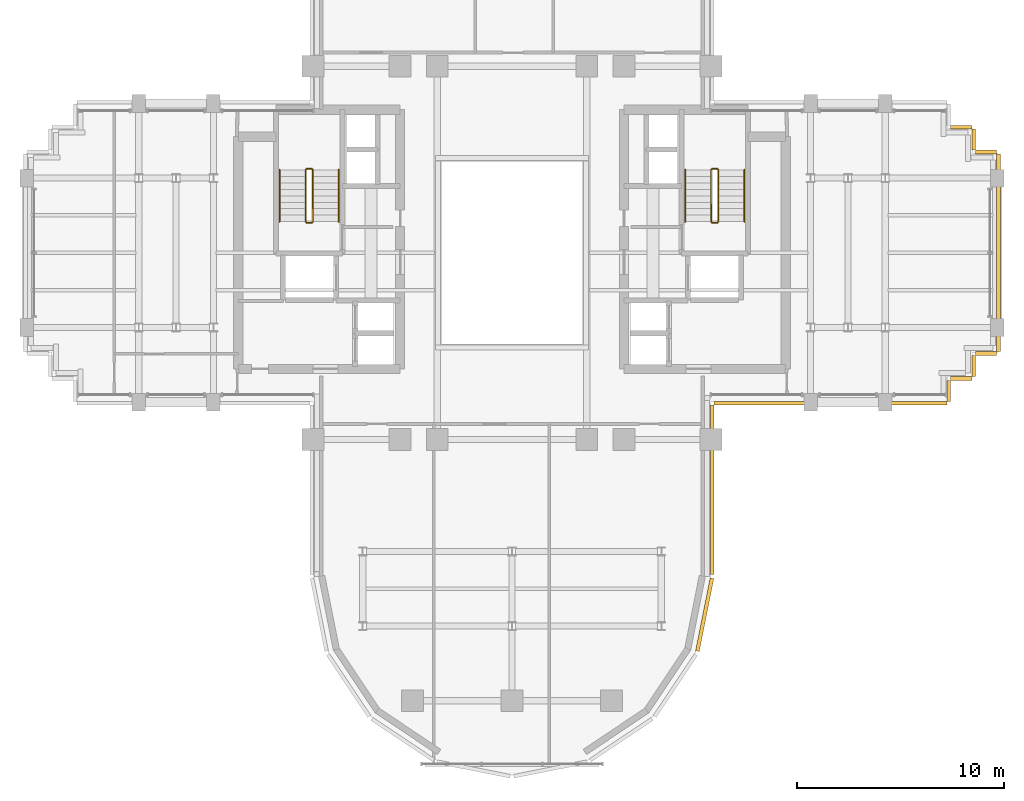
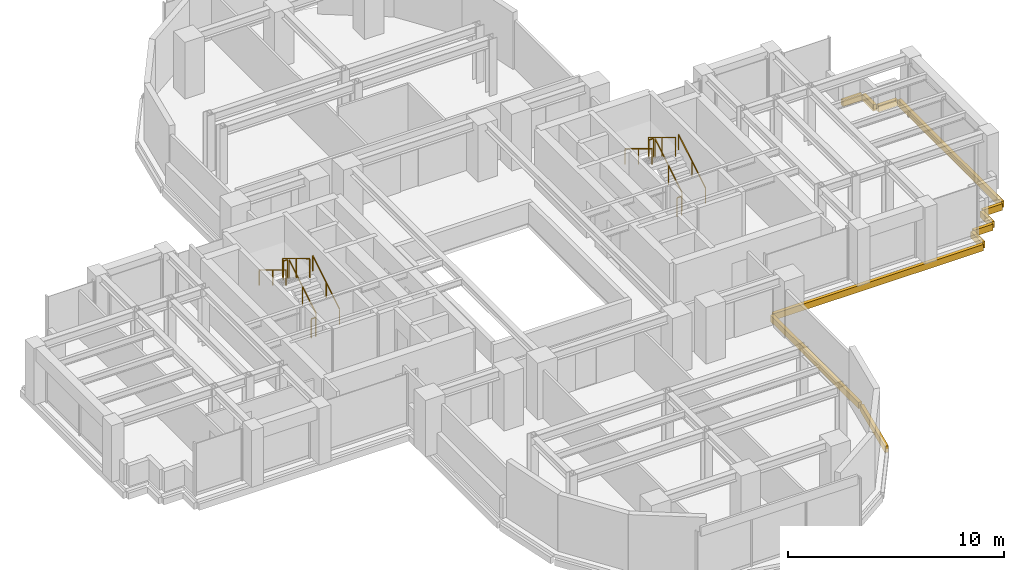
# One storey, part 12 of 13: 12 railings, 11 coverings.
"""IFC4 building model written with IfcOpenShell, lengths in metres."""

from ifc_helpers import new_model, si_unit, direction, frame, origin, origin_2d, place, context, subcontext, project, spatial, rectangle, extrude, source, transform, mapped, material, layer, layer_set, type_object, element, save


model = new_model("IFC4")

# Units and contexts
model_context = context("Model", 3, precision=1e-05, world=origin(), true_north=direction((0.0, 1.0)))
body_context = subcontext(model_context, "Body", "Model", "MODEL_VIEW")
ifc_project = project(units=[si_unit("LENGTHUNIT", "METRE"), si_unit("AREAUNIT", "SQUARE_METRE"), si_unit("VOLUMEUNIT", "CUBIC_METRE"), si_unit("PLANEANGLEUNIT", "RADIAN"), si_unit("MASSUNIT", "GRAM", prefix="KILO")], contexts=[model_context])

# Site, building, storey
site_placement = place(None, origin())
site = spatial("IfcSite", under=ifc_project, at=site_placement, CompositionType="ELEMENT")
building_placement = place(site_placement, origin())
building = spatial("IfcBuilding", under=site, at=building_placement, Name="Keilestroom Media Tower", CompositionType="ELEMENT")
storey_placement = place(building_placement, frame((0.0, 0.0, 144.800048828125)))
storey = spatial("IfcBuildingStorey", under=building, at=storey_placement, Name="L39", CompositionType="ELEMENT", Elevation=144.800048828125)

# Railings
ifc_material_1 = material(Name="Brushed Stainless Steel 1.4301", Category="steel")
railing_type_1 = type_object("IfcRailingType", Name="Stair-Pitch-Handrail-920", PredefinedType="HANDRAIL", material=ifc_material_1)
railing_1_placement = place(storey_placement, frame((-8.35009765625, 1.5, 0.188720703125)))
element("IfcRailing", 1, at=railing_1_placement, inside=storey, type_object=railing_type_1, Name="L39 ST-1 stair handrail 1", PredefinedType="HANDRAIL", context=body_context, shape_type="SweptSolid", body=[
    extrude(rectangle(XDim=0.048095703125, YDim=0.048095703125, at=origin_2d()), frame((0.0, 0.0, 0.8759765625), z_axis=(0.0, 0.855433747314, 0.517912255074), x_axis=(-1.0, 0.0, 0.0)), (0.0, 0.0, 1.0), 2.91796875),
    extrude(rectangle(XDim=0.0419921875, YDim=0.0419921875, at=origin_2d()), origin(), (0.0, 0.0, 1.0), 0.84375),
    extrude(rectangle(XDim=0.0419921875, YDim=0.0419921875, at=origin_2d()), frame((0.0, 1.248046875, 0.755615234375)), (0.0, 0.0, 1.0), 0.84375),
    extrude(rectangle(XDim=0.0419921875, YDim=0.0419921875, at=origin_2d()), frame((0.0, 2.49609375, 1.51123046875)), (0.0, 0.0, 1.0), 0.84375),
])
railing_2_placement = place(storey_placement, frame((-11.2099609375, 3.99609375, 1.888916015625)))
element("IfcRailing", 2, at=railing_2_placement, inside=storey, type_object=railing_type_1, Name="L39 ST-1 stair handrail 2", PredefinedType="HANDRAIL", context=body_context, shape_type="SweptSolid", body=[
    extrude(rectangle(XDim=0.048095703125, YDim=0.048095703125, at=origin_2d()), frame((0.0, 0.0, 0.8759765625), z_axis=(0.0, -0.855470815493, 0.517851024754), x_axis=(1.0, 0.0, 0.0)), (0.0, 0.0, 1.0), 2.917724609375),
    extrude(rectangle(XDim=0.0419921875, YDim=0.0419921875, at=origin_2d()), origin(), (0.0, 0.0, 1.0), 0.84375),
    extrude(rectangle(XDim=0.0419921875, YDim=0.0419921875, at=origin_2d()), frame((0.0, -1.248046875, 0.75537109375)), (0.0, 0.0, 1.0), 0.84375),
    extrude(rectangle(XDim=0.0419921875, YDim=0.0419921875, at=origin_2d()), frame((0.0, -2.49609375, 1.510986328125)), (0.0, 0.0, 1.0), 0.84375),
])
railing_3_placement = place(storey_placement, frame((11.2099609375, 1.5, 0.188720703125)))
element("IfcRailing", 3, at=railing_3_placement, inside=storey, type_object=railing_type_1, Name="L39 ST-2 stair handrail 1", PredefinedType="HANDRAIL", context=body_context, shape_type="SweptSolid", body=[
    extrude(rectangle(XDim=0.048095703125, YDim=0.048095703125, at=origin_2d()), frame((0.0, 0.0, 0.8759765625), z_axis=(0.0, 0.855433747314, 0.517912255074), x_axis=(-1.0, 0.0, 0.0)), (0.0, 0.0, 1.0), 2.91796875),
    extrude(rectangle(XDim=0.0419921875, YDim=0.0419921875, at=origin_2d()), origin(), (0.0, 0.0, 1.0), 0.84375),
    extrude(rectangle(XDim=0.0419921875, YDim=0.0419921875, at=origin_2d()), frame((0.0, 1.248046875, 0.755615234375)), (0.0, 0.0, 1.0), 0.84375),
    extrude(rectangle(XDim=0.0419921875, YDim=0.0419921875, at=origin_2d()), frame((0.0, 2.49609375, 1.51123046875)), (0.0, 0.0, 1.0), 0.84375),
])
railing_4_placement = place(storey_placement, frame((8.35009765625, 3.99609375, 1.888916015625)))
element("IfcRailing", 4, at=railing_4_placement, inside=storey, type_object=railing_type_1, Name="L39 ST-2 stair handrail 2", PredefinedType="HANDRAIL", context=body_context, shape_type="SweptSolid", body=[
    extrude(rectangle(XDim=0.048095703125, YDim=0.048095703125, at=origin_2d()), frame((0.0, 0.0, 0.8759765625), z_axis=(0.0, -0.855470815493, 0.517851024754), x_axis=(1.0, 0.0, 0.0)), (0.0, 0.0, 1.0), 2.917724609375),
    extrude(rectangle(XDim=0.0419921875, YDim=0.0419921875, at=origin_2d()), origin(), (0.0, 0.0, 1.0), 0.84375),
    extrude(rectangle(XDim=0.0419921875, YDim=0.0419921875, at=origin_2d()), frame((0.0, -1.248046875, 0.75537109375)), (0.0, 0.0, 1.0), 0.84375),
    extrude(rectangle(XDim=0.0419921875, YDim=0.0419921875, at=origin_2d()), frame((0.0, -2.49609375, 1.510986328125)), (0.0, 0.0, 1.0), 0.84375),
])
ifc_material_2 = material(Name="Painted Steel Balustrade", Category="steel")
railing_type_2 = type_object("IfcRailingType", Name="Stair-Well-And-Landing-Guard-1100", PredefinedType="GUARDRAIL", material=ifc_material_2)
railing_5_placement = place(storey_placement, frame((-9.610107421875, 1.5, 0.188720703125)))
element("IfcRailing", 5, at=railing_5_placement, inside=storey, type_object=railing_type_2, Name="L39 ST-1 stair guard 1", PredefinedType="GUARDRAIL", context=body_context, shape_type="SweptSolid", body=[
    extrude(rectangle(XDim=0.048095703125, YDim=0.048095703125, at=origin_2d()), frame((0.0, 0.0, 1.076171875), z_axis=(0.0, 0.855433747314, 0.517912255074), x_axis=(-1.0, 0.0, 0.0)), (0.0, 0.0, 1.0), 2.91796875),
    extrude(rectangle(XDim=0.0419921875, YDim=0.0419921875, at=origin_2d()), origin(), (0.0, 0.0, 1.0), 1.0439453125),
    extrude(rectangle(XDim=0.0419921875, YDim=0.0419921875, at=origin_2d()), frame((0.0, 1.248046875, 0.755615234375)), (0.0, 0.0, 1.0), 1.0439453125),
    extrude(rectangle(XDim=0.0419921875, YDim=0.0419921875, at=origin_2d()), frame((0.0, 2.49609375, 1.51123046875)), (0.0, 0.0, 1.0), 1.0439453125),
])
railing_6_placement = place(storey_placement, frame((-9.659912109375, 4.0458984375, 1.699951171875)))
element("IfcRailing", 6, at=railing_6_placement, inside=storey, type_object=railing_type_2, Name="L39 ST-1 stair guard 2", PredefinedType="GUARDRAIL", context=body_context, shape_type="SweptSolid", body=[
    extrude(rectangle(XDim=0.048095703125, YDim=0.048095703125, at=origin_2d()), frame((0.0, 0.0, 1.076171875), z_axis=(-1.0, 0.0, 0.0), x_axis=(0.0, -1.0, 0.0)), (0.0, 0.0, 1.0), 0.239990234375),
    extrude(rectangle(XDim=0.0419921875, YDim=0.0419921875, at=origin_2d()), origin(), (0.0, 0.0, 1.0), 1.0439453125),
    extrude(rectangle(XDim=0.0419921875, YDim=0.0419921875, at=origin_2d()), frame((-0.239990234375, 0.0, 0.0)), (0.0, 0.0, 1.0), 1.0439453125),
])
railing_7_placement = place(storey_placement, frame((-9.949951171875, 3.99609375, 1.888916015625)))
element("IfcRailing", 7, at=railing_7_placement, inside=storey, type_object=railing_type_2, Name="L39 ST-1 stair guard 3", PredefinedType="GUARDRAIL", context=body_context, shape_type="SweptSolid", body=[
    extrude(rectangle(XDim=0.048095703125, YDim=0.048095703125, at=origin_2d()), frame((0.0, 0.0, 1.076171875), z_axis=(0.0, -0.855470815493, 0.517851024754), x_axis=(1.0, 0.0, 0.0)), (0.0, 0.0, 1.0), 2.917724609375),
    extrude(rectangle(XDim=0.0419921875, YDim=0.0419921875, at=origin_2d()), origin(), (0.0, 0.0, 1.0), 1.0439453125),
    extrude(rectangle(XDim=0.0419921875, YDim=0.0419921875, at=origin_2d()), frame((0.0, -1.248046875, 0.75537109375)), (0.0, 0.0, 1.0), 1.0439453125),
    extrude(rectangle(XDim=0.0419921875, YDim=0.0419921875, at=origin_2d()), frame((0.0, -2.49609375, 1.510986328125)), (0.0, 0.0, 1.0), 1.0439453125),
])
railing_8_placement = place(storey_placement, frame((-9.659912109375, 1.449951171875, 0.0)))
element("IfcRailing", 8, at=railing_8_placement, inside=storey, type_object=railing_type_2, Name="L39 ST-1 stair guard 4", PredefinedType="GUARDRAIL", context=body_context, shape_type="SweptSolid", body=[
    extrude(rectangle(XDim=0.048095703125, YDim=0.048095703125, at=origin_2d()), frame((0.0, 0.0, 1.076171875), z_axis=(-1.0, 0.0, 0.0), x_axis=(0.0, -1.0, 0.0)), (0.0, 0.0, 1.0), 0.239990234375),
    extrude(rectangle(XDim=0.0419921875, YDim=0.0419921875, at=origin_2d()), origin(), (0.0, 0.0, 1.0), 1.0439453125),
    extrude(rectangle(XDim=0.0419921875, YDim=0.0419921875, at=origin_2d()), frame((-0.239990234375, 0.0, 0.0)), (0.0, 0.0, 1.0), 1.0439453125),
])
railing_9_placement = place(storey_placement, frame((9.949951171875, 1.5, 0.188720703125)))
element("IfcRailing", 9, at=railing_9_placement, inside=storey, type_object=railing_type_2, Name="L39 ST-2 stair guard 1", PredefinedType="GUARDRAIL", context=body_context, shape_type="SweptSolid", body=[
    extrude(rectangle(XDim=0.048095703125, YDim=0.048095703125, at=origin_2d()), frame((0.0, 0.0, 1.076171875), z_axis=(0.0, 0.855433747314, 0.517912255074), x_axis=(-1.0, 0.0, 0.0)), (0.0, 0.0, 1.0), 2.91796875),
    extrude(rectangle(XDim=0.0419921875, YDim=0.0419921875, at=origin_2d()), origin(), (0.0, 0.0, 1.0), 1.0439453125),
    extrude(rectangle(XDim=0.0419921875, YDim=0.0419921875, at=origin_2d()), frame((0.0, 1.248046875, 0.755615234375)), (0.0, 0.0, 1.0), 1.0439453125),
    extrude(rectangle(XDim=0.0419921875, YDim=0.0419921875, at=origin_2d()), frame((0.0, 2.49609375, 1.51123046875)), (0.0, 0.0, 1.0), 1.0439453125),
])
railing_10_placement = place(storey_placement, frame((9.89990234375, 4.0458984375, 1.699951171875)))
element("IfcRailing", 10, at=railing_10_placement, inside=storey, type_object=railing_type_2, Name="L39 ST-2 stair guard 2", PredefinedType="GUARDRAIL", context=body_context, shape_type="SweptSolid", body=[
    extrude(rectangle(XDim=0.048095703125, YDim=0.048095703125, at=origin_2d()), frame((0.0, 0.0, 1.076171875), z_axis=(-1.0, 0.0, 0.0), x_axis=(0.0, -1.0, 0.0)), (0.0, 0.0, 1.0), 0.239990234375),
    extrude(rectangle(XDim=0.0419921875, YDim=0.0419921875, at=origin_2d()), origin(), (0.0, 0.0, 1.0), 1.0439453125),
    extrude(rectangle(XDim=0.0419921875, YDim=0.0419921875, at=origin_2d()), frame((-0.239990234375, 0.0, 0.0)), (0.0, 0.0, 1.0), 1.0439453125),
])
railing_11_placement = place(storey_placement, frame((9.610107421875, 3.99609375, 1.888916015625)))
element("IfcRailing", 11, at=railing_11_placement, inside=storey, type_object=railing_type_2, Name="L39 ST-2 stair guard 3", PredefinedType="GUARDRAIL", context=body_context, shape_type="SweptSolid", body=[
    extrude(rectangle(XDim=0.048095703125, YDim=0.048095703125, at=origin_2d()), frame((0.0, 0.0, 1.076171875), z_axis=(0.0, -0.855470815493, 0.517851024754), x_axis=(1.0, 0.0, 0.0)), (0.0, 0.0, 1.0), 2.917724609375),
    extrude(rectangle(XDim=0.0419921875, YDim=0.0419921875, at=origin_2d()), origin(), (0.0, 0.0, 1.0), 1.0439453125),
    extrude(rectangle(XDim=0.0419921875, YDim=0.0419921875, at=origin_2d()), frame((0.0, -1.248046875, 0.75537109375)), (0.0, 0.0, 1.0), 1.0439453125),
    extrude(rectangle(XDim=0.0419921875, YDim=0.0419921875, at=origin_2d()), frame((0.0, -2.49609375, 1.510986328125)), (0.0, 0.0, 1.0), 1.0439453125),
])
railing_12_placement = place(storey_placement, frame((9.89990234375, 1.449951171875, 0.0)))
element("IfcRailing", 12, at=railing_12_placement, inside=storey, type_object=railing_type_2, Name="L39 ST-2 stair guard 4", PredefinedType="GUARDRAIL", context=body_context, shape_type="SweptSolid", body=[
    extrude(rectangle(XDim=0.048095703125, YDim=0.048095703125, at=origin_2d()), frame((0.0, 0.0, 1.076171875), z_axis=(-1.0, 0.0, 0.0), x_axis=(0.0, -1.0, 0.0)), (0.0, 0.0, 1.0), 0.239990234375),
    extrude(rectangle(XDim=0.0419921875, YDim=0.0419921875, at=origin_2d()), origin(), (0.0, 0.0, 1.0), 1.0439453125),
    extrude(rectangle(XDim=0.0419921875, YDim=0.0419921875, at=origin_2d()), frame((-0.239990234375, 0.0, 0.0)), (0.0, 0.0, 1.0), 1.0439453125),
])

# Coverings
ifc_material_3 = material(Name="Precast concrete C40/50", Category="concrete")
ifc_layer = layer(ifc_material_3, 0.1201171875)
ifc_layer_set = layer_set([ifc_layer], Name="Precast concrete C40/50")
covering_type = type_object("IfcCoveringType", Name="Exterior-Precast-Spandrel-Cladding-Panel-120", PredefinedType="CLADDING", material=ifc_layer_set)
shared_shape_1 = source(origin(), body_context, "Body", "SweptSolid", [
    extrude(rectangle(XDim=1.02001953125, YDim=0.179931640625, at=origin_2d()), origin(), (0.0, 0.0, 1.0), 0.360107421875),
])
for number, where, z_axis, x_axis, name in (
    (13, (22.860107421875, -4.860107421875, -0.5400390625), (0.0, 0.0, 1.0), (-1.0, 0.0, 0.0), "L39 Precast Slab-Edge Fascia Cornice 01"),
    (14, (22.260009765625, -5.4599609375, -0.5400390625), (0.0, 0.0, 1.0), (0.0, -1.0, 0.0), "L39 Precast Slab-Edge Fascia Cornice 02"),
    (15, (21.659912109375, -6.06005859375, -0.5400390625), (0.0, 0.0, 1.0), (-1.0, 0.0, 0.0), "L39 Precast Slab-Edge Fascia Cornice 03"),
    (16, (21.06005859375, -6.659912109375, -0.5400390625), (0.0, 0.0, 1.0), (0.0, -1.0, 0.0), "L39 Precast Slab-Edge Fascia Cornice 04"),
    (17, (21.659912109375, 6.06005859375, -0.5400390625), (0.0, 0.0, 1.0), (1.0, 0.0, 0.0), "L39 Precast Slab-Edge Fascia Cornice 39"),
    (18, (22.260009765625, 5.4599609375, -0.5400390625), (0.0, 0.0, 1.0), (0.0, -1.0, 0.0), "L39 Precast Slab-Edge Fascia Cornice 40"),
    (19, (22.860107421875, 4.860107421875, -0.5400390625), (0.0, 0.0, 1.0), (1.0, 0.0, 0.0), "L39 Precast Slab-Edge Fascia Cornice 41"),
):
    element("IfcCovering", number, at=place(storey_placement, frame(where, z_axis=z_axis, x_axis=x_axis)), inside=storey, type_object=covering_type, Name=name, PredefinedType="CLADDING", context=body_context, shape_type="MappedRepresentation", body=[
        mapped(shared_shape_1, transform((0.0, 0.0, 0.0), x_axis=(1.0, 0.0, 0.0), y_axis=(0.0, 1.0, 0.0), z_axis=(0.0, 0.0, 1.0), scale=1.0)),
    ])
shared_shape_2 = source(origin(), body_context, "Body", "SweptSolid", [
    extrude(rectangle(XDim=8.166015625, YDim=0.179931640625, at=origin_2d()), origin(), (0.0, 0.0, 1.0), 0.360107421875),
])
covering_1_placement = place(storey_placement, frame((9.659912109375, -11.43310546875, -0.5400390625), z_axis=(0.0, 0.0, 1.0), x_axis=(0.0, -1.0, 0.0)))
element("IfcCovering", 20, at=covering_1_placement, inside=storey, type_object=covering_type, Name="L39 Precast Slab-Edge Fascia Cornice 06", PredefinedType="CLADDING", context=body_context, shape_type="MappedRepresentation", body=[
    mapped(shared_shape_2, transform((0.0, 0.0, 0.0), x_axis=(1.0, 0.0, 0.0), y_axis=(0.0, 1.0, 0.0), z_axis=(0.0, 0.0, 1.0), scale=1.0)),
])
shared_shape_3 = source(origin(), body_context, "Body", "SweptSolid", [
    extrude(rectangle(XDim=3.58349609375, YDim=0.179931640625, at=origin_2d()), origin(), (0.0, 0.0, 1.0), 0.360107421875),
])
covering_2_placement = place(storey_placement, frame((9.29296875, -17.45166015625, -0.5400390625), z_axis=(0.0, 0.0, 1.0), x_axis=(-0.195098880975, -0.980783577882, 0.0)))
element("IfcCovering", 21, at=covering_2_placement, inside=storey, type_object=covering_type, Name="L39 Precast Slab-Edge Fascia Cornice 07", PredefinedType="CLADDING", context=body_context, shape_type="MappedRepresentation", body=[
    mapped(shared_shape_3, transform((0.0, 0.0, 0.0), x_axis=(1.0, 0.0, 0.0), y_axis=(0.0, 1.0, 0.0), z_axis=(0.0, 0.0, 1.0), scale=1.0)),
])
shared_shape_4 = source(origin(), body_context, "Body", "SweptSolid", [
    extrude(rectangle(XDim=9.5400390625, YDim=0.179931640625, at=origin_2d()), origin(), (0.0, 0.0, 1.0), 0.360107421875),
])
covering_3_placement = place(storey_placement, frame((23.4599609375, 0.0, -0.5400390625), z_axis=(0.0, 0.0, 1.0), x_axis=(0.0, -1.0, 0.0)))
element("IfcCovering", 22, at=covering_3_placement, inside=storey, type_object=covering_type, Name="L39 Precast Slab-Edge Fascia Cornice 42", PredefinedType="CLADDING", context=body_context, shape_type="MappedRepresentation", body=[
    mapped(shared_shape_4, transform((0.0, 0.0, 0.0), x_axis=(1.0, 0.0, 0.0), y_axis=(0.0, 1.0, 0.0), z_axis=(0.0, 0.0, 1.0), scale=1.0)),
])
shared_shape_5 = source(origin(), body_context, "Body", "SweptSolid", [
    extrude(rectangle(XDim=11.219970703125, YDim=0.179931640625, at=origin_2d()), origin(), (0.0, 0.0, 1.0), 0.360107421875),
])
covering_4_placement = place(storey_placement, frame((15.360107421875, -7.260009765625, -0.5400390625), z_axis=(0.0, 0.0, 1.0), x_axis=(-1.0, 0.0, 0.0)))
element("IfcCovering", 23, at=covering_4_placement, inside=storey, type_object=covering_type, Name="L39 Precast Slab-Edge Fascia Cornice 05", PredefinedType="CLADDING", context=body_context, shape_type="MappedRepresentation", body=[
    mapped(shared_shape_5, transform((0.0, 0.0, 0.0), x_axis=(1.0, 0.0, 0.0), y_axis=(0.0, 1.0, 0.0), z_axis=(0.0, 0.0, 1.0), scale=1.0)),
])

save(model, "model.ifc")
